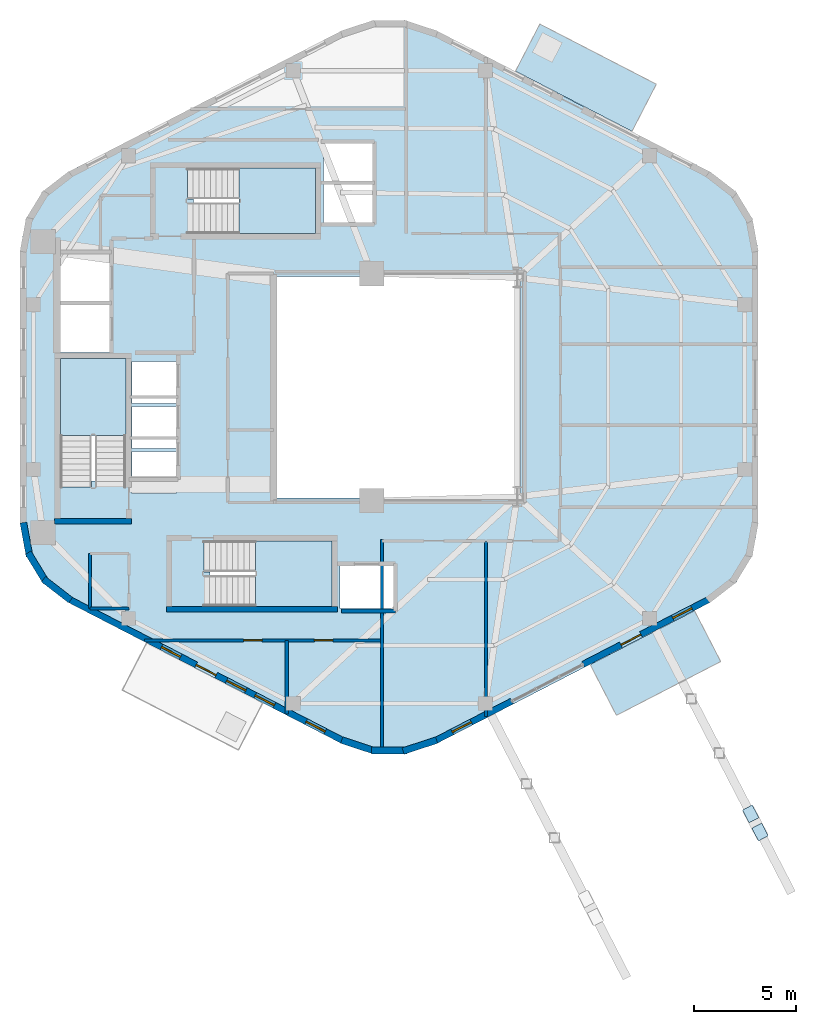
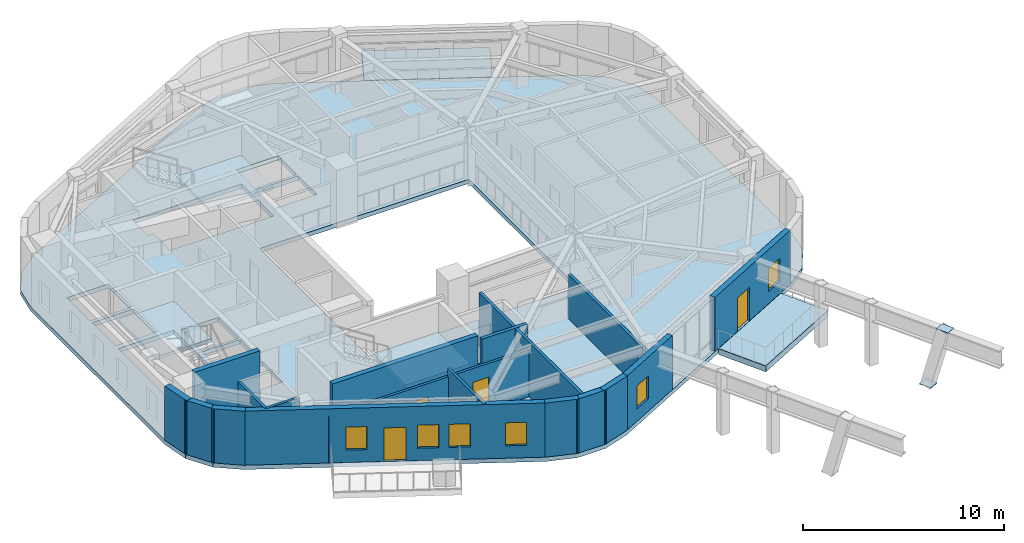
# One storey, part 5 of 10: 18 walls, 6 slabs, 6 windows, 4 doors, 2 plates, 10 openings, 3 elements without a shape of their own.
"""IFC4 building model written with IfcOpenShell, lengths in metres."""

from ifc_helpers import new_model, si_unit, direction, frame, frame_2d, origin, origin_2d, place, context, subcontext, project, spatial, polyline, rectangle, outline, extrude, material, layer, layer_set, type_object, element, fill, aggregate, save


model = new_model("IFC4")

# Units and contexts
model_context = context("Model", 3, precision=1e-05, world=origin(), true_north=direction((0.0, 1.0)))
body_context = subcontext(model_context, "Body", "Model", "MODEL_VIEW")
ifc_project = project(units=[si_unit("LENGTHUNIT", "METRE"), si_unit("AREAUNIT", "SQUARE_METRE"), si_unit("VOLUMEUNIT", "CUBIC_METRE"), si_unit("PLANEANGLEUNIT", "RADIAN"), si_unit("MASSUNIT", "GRAM", prefix="KILO"), si_unit("THERMODYNAMICTEMPERATUREUNIT", "KELVIN"), si_unit("POWERUNIT", "WATT")], contexts=[model_context])

# Site, building, storey
site_placement = place(None, origin())
site = spatial("IfcSite", under=ifc_project, at=site_placement, CompositionType="ELEMENT")
building_placement = place(site_placement, origin())
building = spatial("IfcBuilding", under=site, at=building_placement, Name="Skarre Station Tower", CompositionType="ELEMENT")
storey_placement = place(building_placement, frame((0.0, 0.0, 227.699951171875)))
storey = spatial("IfcBuildingStorey", under=building, at=storey_placement, Name="L62", CompositionType="ELEMENT", Elevation=227.699951171875)

# Plates
ifc_material_1 = material(Name="Steel ASTM A572 Grade 50", Category="steel")
ifc_layer_1 = layer(ifc_material_1, 0.031982421875, Name="Steel ASTM A572 Grade 50")
ifc_layer_set_1 = layer_set([ifc_layer_1], Name="Steel ASTM A572 Grade 50")
plate_type = type_object("IfcPlateType", Name="Exoskeleton Strut Cap Plate 700x540x32", PredefinedType="USERDEFINED", material=ifc_layer_set_1)
for number, where, z_axis, x_axis, name in (
    (1, (50.84912109375, 3.16796875, -0.44580078125), (0.0, 0.0, 1.0), (0.458711590553, -0.88858521071, 0.0), "L62 SB-5 Exoskeleton Tier-3 Base Gusset S2"),
    (2, (51.30810546875, 2.279052734375, 3.26416015625), (0.0, 0.0, 1.0), (0.458711590553, -0.88858521071, 0.0), "L62 SB-5 Exoskeleton Tier-3 Head Gusset S2"),
):
    element("IfcPlate", number, at=place(storey_placement, frame(where, z_axis=z_axis, x_axis=x_axis)), inside=storey, type_object=plate_type, Name=name, ObjectType="STIFFENER_PLATE", PredefinedType="USERDEFINED", context=body_context, shape_type="SweptSolid", body=[
        extrude(rectangle(XDim=0.699951171875, YDim=0.5400390625, at=origin_2d()), origin(), (0.0, 0.0, 1.0), 0.031982421875),
    ])

# Slab
ifc_material_2 = material(Name="Precast concrete C50/60", Category="concrete")
ifc_layer_2 = layer(ifc_material_2, 0.340087890625, Name="Precast concrete C50/60")
ifc_layer_set_2 = layer_set([ifc_layer_2], Name="Precast concrete C50/60")
slab_type_1 = type_object("IfcSlabType", Name="Planted Tree-Balcony Cantilever Slab 340", PredefinedType="FLOOR", material=ifc_layer_set_2)
slab_1_placement = place(storey_placement, frame((0.0, 0.0, -0.33984375)))
element("IfcSlab", 3, at=slab_1_placement, inside=storey, type_object=slab_type_1, Name="L62 Planted Tree-Balcony Deck TB-L62-F0", PredefinedType="FLOOR", context=body_context, shape_type="SweptSolid", body=[
    extrude(outline(polyline([(45.054931640625, 36.490966796875), (39.367919921875, 39.427001953125), (40.555908203125, 41.72802734375), (46.242919921875, 38.7919921875), (45.054931640625, 36.490966796875)])), origin(), (0.0, 0.0, 1.0), 0.33984375),
])

# Stair, slab
ifc_material_3 = material(Name="Concrete C40/50", Category="concrete")
stair_type_1 = type_object("IfcStairType", Name="Reinforced Concrete Exit Stair ST-1", PredefinedType="HALF_TURN_STAIR", material=ifc_material_3)
stair_1_placement = place(storey_placement, origin())
stair_1 = element("IfcStair", 4, at=stair_1_placement, inside=storey, type_object=stair_type_1, Name="L62 Core Exit Stair ST-1", PredefinedType="HALF_TURN_STAIR")
ifc_layer_3 = layer(ifc_material_3, 0.219970703125, Name="Concrete C40/50")
ifc_layer_set_3 = layer_set([ifc_layer_3], Name="Concrete C40/50")
slab_type_2 = type_object("IfcSlabType", Name="Reinforced Concrete Stair & Ramp Landing 220", PredefinedType="LANDING", material=ifc_layer_set_3)
slab_2_placement = place(storey_placement, frame((0.0, 0.0, 1.574951171875)))
slab_2 = element("IfcSlab", 5, at=slab_2_placement, type_object=slab_type_2, Name="ST-1 landing 1", PredefinedType="LANDING", context=body_context, shape_type="SweptSolid", body=[
    extrude(outline(polyline([(20.35009765625, 21.639892578125), (20.35009765625, 25.39990234375), (17.14990234375, 25.39990234375), (17.14990234375, 21.639892578125), (20.35009765625, 21.639892578125)])), origin(), (0.0, 0.0, 1.0), 0.2001953125),
])
aggregate(stair_1, [slab_2])

stair_type_2 = type_object("IfcStairType", Name="Reinforced Concrete Exit Stair ST-2", PredefinedType="HALF_TURN_STAIR", material=ifc_material_3)
stair_2_placement = place(storey_placement, origin())
stair_2 = element("IfcStair", 6, at=stair_2_placement, inside=storey, type_object=stair_type_2, Name="L62 Core Exit Stair ST-2", PredefinedType="HALF_TURN_STAIR")
slab_3_placement = place(storey_placement, frame((0.0, 0.0, 1.574951171875)))
slab_3 = element("IfcSlab", 7, at=slab_3_placement, type_object=slab_type_2, Name="ST-2 landing 1", PredefinedType="LANDING", context=body_context, shape_type="SweptSolid", body=[
    extrude(outline(polyline([(26.669921875, 13.300048828125), (30.39990234375, 13.300048828125), (30.39990234375, 16.5), (26.669921875, 16.5), (26.669921875, 13.300048828125)])), origin(), (0.0, 0.0, 1.0), 0.2001953125),
])
aggregate(stair_2, [slab_3])

stair_type_3 = type_object("IfcStairType", Name="Reinforced Concrete Exit Stair ST-3", PredefinedType="HALF_TURN_STAIR", material=ifc_material_3)
stair_3_placement = place(storey_placement, origin())
stair_3 = element("IfcStair", 8, at=stair_3_placement, inside=storey, type_object=stair_type_3, Name="L62 Core Exit Stair ST-3", PredefinedType="HALF_TURN_STAIR")
slab_4_placement = place(storey_placement, frame((0.0, 0.0, 1.574951171875)))
slab_4 = element("IfcSlab", 9, at=slab_4_placement, type_object=slab_type_2, Name="ST-3 landing 1", PredefinedType="LANDING", context=body_context, shape_type="SweptSolid", body=[
    extrude(outline(polyline([(25.8701171875, 31.5), (29.60009765625, 31.5), (29.60009765625, 34.699951171875), (25.8701171875, 34.699951171875), (25.8701171875, 31.5)])), origin(), (0.0, 0.0, 1.0), 0.2001953125),
])
aggregate(stair_3, [slab_4])

# Slabs
ifc_material_4 = material(Name="Concrete C50/60", Category="concrete")
ifc_layer_4 = layer(ifc_material_4, 0.419921875, Name="Concrete C50/60")
ifc_layer_set_4 = layer_set([ifc_layer_4], Name="Concrete C50/60")
slab_type_3 = type_object("IfcSlabType", Name="Sky-Garden & Lookout Terrace Slab 360", PredefinedType="FLOOR", material=ifc_layer_set_4)
slab_5_placement = place(storey_placement, frame((0.0, 0.0, -0.35986328125)))
element("IfcSlab", 10, at=slab_5_placement, inside=storey, type_object=slab_type_3, Name="L62 SG-3 Planted Sky-Garden Terrace Slab", PredefinedType="FLOOR", context=body_context, shape_type="SweptSolid", body=[
    extrude(outline(polyline([(48.10595703125, 13.083984375), (43.014892578125, 10.4560546875), (44.294921875, 7.97705078125), (49.385986328125, 10.60498046875), (48.10595703125, 13.083984375)])), origin(), (0.0, 0.0, 1.0), 0.35986328125),
])
ifc_layer_5 = layer(ifc_material_4, 0.260009765625, Name="Concrete C50/60")
ifc_layer_set_5 = layer_set([ifc_layer_5], Name="Concrete C50/60")
slab_type_4 = type_object("IfcSlabType", Name="Tower Typical Composite Floor Slab 260", PredefinedType="FLOOR", material=ifc_layer_set_5)
slab_6_placement = place(storey_placement, frame((0.0, 0.0, -0.260009765625)))
element("IfcSlab", 11, at=slab_6_placement, inside=storey, type_object=slab_type_4, Name="L62 Zone 4 Structural Floor Slab", PredefinedType="FLOOR", context=body_context, shape_type="SweptSolid", body=[
    extrude(outline(polyline([(51.212890625, 30.701904296875), (50.93310546875, 32.222900390625), (50.1279296875, 33.544921875), (48.905029296875, 34.491943359375), (35.508056640625, 41.407958984375), (33.99609375, 41.906005859375), (32.404052734375, 41.906005859375), (30.89208984375, 41.407958984375), (17.4951171875, 34.491943359375), (16.27197265625, 33.544921875), (15.467041015625, 32.222900390625), (15.18701171875, 30.701904296875), (15.18701171875, 17.298095703125), (15.467041015625, 15.777099609375), (16.27197265625, 14.455078125), (17.4951171875, 13.508056640625), (30.89208984375, 6.592041015625), (32.404052734375, 6.093994140625), (33.99609375, 6.093994140625), (35.508056640625, 6.592041015625), (48.905029296875, 13.508056640625), (50.1279296875, 14.455078125), (50.93310546875, 15.777099609375), (51.212890625, 17.298095703125), (51.212890625, 30.701904296875)]), holes=[polyline([(18.669921875, 19.419921875), (18.669921875, 19.123046875), (17.14990234375, 19.123046875), (17.14990234375, 25.39990234375), (20.35009765625, 25.39990234375), (20.35009765625, 19.419921875), (18.669921875, 19.419921875)]), polyline([(24.449951171875, 14.97998046875), (24.153076171875, 14.97998046875), (24.153076171875, 16.5), (30.39990234375, 16.5), (30.39990234375, 13.300048828125), (24.449951171875, 13.300048828125), (24.449951171875, 14.97998046875)]), polyline([(23.64990234375, 33.179931640625), (23.35302734375, 33.179931640625), (23.35302734375, 34.699951171875), (29.60009765625, 34.699951171875), (29.60009765625, 31.5), (23.64990234375, 31.5), (23.64990234375, 33.179931640625)]), polyline([(17.14990234375, 28.0), (19.550048828125, 28.0), (19.550048828125, 25.699951171875), (17.14990234375, 25.699951171875), (17.14990234375, 28.0)]), polyline([(17.14990234375, 30.5), (19.550048828125, 30.5), (19.550048828125, 28.199951171875), (17.14990234375, 28.199951171875), (17.14990234375, 30.5)]), polyline([(30.800048828125, 15.300048828125), (33.39990234375, 15.300048828125), (33.39990234375, 13.199951171875), (30.800048828125, 13.199951171875), (30.800048828125, 15.300048828125)]), polyline([(20.64990234375, 20.85009765625), (22.800048828125, 20.85009765625), (22.800048828125, 18.800048828125), (20.64990234375, 18.800048828125), (20.64990234375, 20.85009765625)]), polyline([(20.64990234375, 23.050048828125), (22.800048828125, 23.050048828125), (22.800048828125, 21.0), (20.64990234375, 21.0), (20.64990234375, 23.050048828125)]), polyline([(20.64990234375, 25.25), (22.800048828125, 25.25), (22.800048828125, 23.199951171875), (20.64990234375, 23.199951171875), (20.64990234375, 25.25)]), polyline([(30.0, 33.89990234375), (32.39990234375, 33.89990234375), (32.39990234375, 32.050048828125), (30.0, 32.050048828125), (30.0, 33.89990234375)]), polyline([(30.0, 35.89990234375), (32.39990234375, 35.89990234375), (32.39990234375, 34.050048828125), (30.0, 34.050048828125), (30.0, 35.89990234375)]), polyline([(27.60009765625, 29.39990234375), (39.60009765625, 29.39990234375), (39.60009765625, 18.60009765625), (27.60009765625, 18.60009765625), (27.60009765625, 29.39990234375)])]), origin(), (0.0, 0.0, 1.0), 0.260009765625),
])

# Walls
ifc_material_5 = material(Name="Acoustic Steel-Stud Gypsum Partition", Category="steel")
ifc_layer_6 = layer(ifc_material_5, 0.14990234375, Name="Acoustic Steel-Stud Gypsum Partition")
ifc_layer_set_6 = layer_set([ifc_layer_6], Name="Acoustic Steel-Stud Gypsum Partition")
wall_type_1 = type_object("IfcWallType", Name="Fire-Rated Corridor Acoustic Partition 150", PredefinedType="PARTITIONING", material=ifc_layer_set_6)
wall_1_placement = place(storey_placement, frame((18.60009765625, 15.8798828125, 0.0), z_axis=(0.0, 0.0, 1.0), x_axis=(0.0, -1.0, 0.0)))
element("IfcWall", 12, at=wall_1_placement, inside=storey, type_object=wall_type_1, Name="L62 Interior Partition WL-PT-L62-CSVC-W", PredefinedType="PARTITIONING", context=body_context, shape_type="SweptSolid", body=[
    extrude(rectangle(XDim=2.679931640625, YDim=0.14990234375, at=frame_2d((1.33984375, 0.0))), origin(), (0.0, 0.0, 1.0), 3.2900390625),
])
wall_2_placement = place(storey_placement, frame((18.60009765625, 13.199951171875, 0.0), z_axis=(0.0, 0.0, 1.0), x_axis=(1.0, 0.0, 0.0)))
element("IfcWall", 13, at=wall_2_placement, inside=storey, type_object=wall_type_1, Name="L62 Interior Partition WL-PT-L62-CSVC-S", PredefinedType="PARTITIONING", context=body_context, shape_type="SweptSolid", body=[
    extrude(rectangle(XDim=1.889892578125, YDim=0.14990234375, at=frame_2d((0.94482421875, 0.0))), origin(), (0.0, 0.0, 1.0), 3.2900390625),
])
wall_3_placement = place(storey_placement, frame((28.199951171875, 8.049072265625, 0.0), z_axis=(0.0, 0.0, 1.0), x_axis=(0.0, 1.0, 0.0)))
element("IfcWall", 14, at=wall_3_placement, inside=storey, type_object=wall_type_1, Name="L62 Interior Partition WL-PT-L62-SWP-M", PredefinedType="PARTITIONING", context=body_context, shape_type="SweptSolid", body=[
    extrude(rectangle(XDim=3.5908203125, YDim=0.14990234375, at=frame_2d((1.79541015625, 0.0))), origin(), (0.0, 0.0, 1.0), 3.2900390625),
])

# Wall, openings, doors
wall_4_placement = place(storey_placement, frame((21.243896484375, 11.639892578125, 0.0), z_axis=(0.0, 0.0, 1.0), x_axis=(1.0, 0.0, 0.0)))
wall_4 = element("IfcWall", 15, at=wall_4_placement, inside=storey, type_object=wall_type_1, Name="L62 Interior Partition WL-PT-L62-SWP-N", PredefinedType="PARTITIONING", context=body_context, shape_type="SweptSolid", body=[
    extrude(rectangle(XDim=11.606201171875, YDim=0.14990234375, at=frame_2d((5.80322265625, 0.0))), origin(), (0.0, 0.0, 1.0), 2.8330078125),
])
opening_1_placement = place(wall_4_placement, frame((4.85595703125, 0.0, 0.0)))
opening_1 = element("IfcOpeningElement", 16, at=opening_1_placement, cuts=wall_4, Name="Opening DR-SVC90", PredefinedType="OPENING", context=body_context, shape_type="SweptSolid", body=[
    extrude(rectangle(XDim=0.89990234375, YDim=2.0, at=frame_2d((0.449951171875, 1.0))), frame((0.0, 0.0849609375, 0.0), z_axis=(0.0, -1.0, 0.0), x_axis=(1.0, 0.0, 0.0)), (0.0, 0.0, 1.0), 0.169921875),
])
opening_2_placement = place(wall_4_placement, frame((8.305908203125, 0.0, 0.0)))
opening_2 = element("IfcOpeningElement", 17, at=opening_2_placement, cuts=wall_4, Name="Opening DR-SVC90", PredefinedType="OPENING", context=body_context, shape_type="SweptSolid", body=[
    extrude(rectangle(XDim=0.89990234375, YDim=2.0, at=frame_2d((0.449951171875, 1.0))), frame((0.0, 0.0849609375, 0.0), z_axis=(0.0, -1.0, 0.0), x_axis=(1.0, 0.0, 0.0)), (0.0, 0.0, 1.0), 0.169921875),
])
ifc_material_6 = material(Name="Powder-Coated Hollow-Metal Acoustic Fire Leaf", Category="steel")
door_type_1 = type_object("IfcDoorType", Name="Service & Riser Fire Door FD60 900x2100", OperationType="SINGLE_SWING_LEFT", PredefinedType="DOOR", material=ifc_material_6)
door_1_placement = place(opening_1_placement, origin())
door_1 = element("IfcDoor", 18, at=door_1_placement, inside=storey, type_object=door_type_1, Name="L62 Floor Public Toilets Door", OperationType="SINGLE_SWING_LEFT", OverallHeight=2.0, OverallWidth=0.89990234375, PredefinedType="DOOR", context=body_context, shape_type="SweptSolid", body=[
    extrude(rectangle(XDim=0.89990234375, YDim=2.0, at=frame_2d((0.449951171875, 1.0))), frame((0.0, 0.02490234375, 0.0), z_axis=(0.0, -1.0, 0.0), x_axis=(1.0, 0.0, 0.0)), (0.0, 0.0, 1.0), 0.050048828125),
])
fill(opening_1, door_1)
door_2_placement = place(opening_2_placement, origin())
door_2 = element("IfcDoor", 19, at=door_2_placement, inside=storey, type_object=door_type_1, Name="L62 South-West Study Door", OperationType="SINGLE_SWING_LEFT", OverallHeight=2.0, OverallWidth=0.89990234375, PredefinedType="DOOR", context=body_context, shape_type="SweptSolid", body=[
    extrude(rectangle(XDim=0.89990234375, YDim=2.0, at=frame_2d((0.449951171875, 1.0))), frame((0.0, 0.02490234375, 0.0), z_axis=(0.0, -1.0, 0.0), x_axis=(1.0, 0.0, 0.0)), (0.0, 0.0, 1.0), 0.050048828125),
])
fill(opening_2, door_2)

# Walls
ifc_material_7 = material(Name="Precast concrete C45/55", Category="concrete")
ifc_layer_7 = layer(ifc_material_7, 0.330078125, Name="Precast concrete C45/55")
ifc_layer_set_7 = layer_set([ifc_layer_7], Name="Precast concrete C45/55")
wall_type_2 = type_object("IfcWallType", Name="Nordic Rounded Corner Precast Wall 330", PredefinedType="STANDARD", material=ifc_layer_set_7)
wall_5_placement = place(storey_placement, frame((17.64697265625, 13.59912109375, 0.0), z_axis=(0.0, 0.0, 1.0), x_axis=(-0.790691856293, 0.61221433207, 0.0)))
element("IfcWall", 20, at=wall_5_placement, inside=storey, type_object=wall_type_2, Name="L62 Rounded Corner Precast Wall F3-1", PredefinedType="STANDARD", context=body_context, shape_type="SweptSolid", body=[
    extrude(rectangle(XDim=1.67578125, YDim=0.330078125, at=frame_2d((0.837890625, 0.0))), origin(), (0.0, 0.0, 1.0), 3.2900390625),
])
wall_6_placement = place(storey_placement, frame((16.447021484375, 14.485107421875, 0.0), z_axis=(0.0, 0.0, 1.0), x_axis=(-0.520325409202, 0.853968072318, 0.0)))
element("IfcWall", 21, at=wall_6_placement, inside=storey, type_object=wall_type_2, Name="L62 Rounded Corner Precast Wall F3-2", PredefinedType="STANDARD", context=body_context, shape_type="SweptSolid", body=[
    extrude(rectangle(XDim=1.677978515625, YDim=0.330078125, at=frame_2d((0.8388671875, 0.0))), origin(), (0.0, 0.0, 1.0), 3.2900390625),
])
wall_7_placement = place(storey_placement, frame((15.64111328125, 15.742919921875, 0.0), z_axis=(0.0, 0.0, 1.0), x_axis=(-0.180832605401, 0.983513888475, 0.0)))
element("IfcWall", 22, at=wall_7_placement, inside=storey, type_object=wall_type_2, Name="L62 Rounded Corner Precast Wall F3-3", PredefinedType="STANDARD", context=body_context, shape_type="SweptSolid", body=[
    extrude(rectangle(XDim=1.6767578125, YDim=0.330078125, at=frame_2d((0.83837890625, 0.0))), origin(), (0.0, 0.0, 1.0), 3.2900390625),
])
wall_8_placement = place(storey_placement, frame((35.51806640625, 6.76904296875, 0.0), z_axis=(0.0, 0.0, 1.0), x_axis=(-0.949713440491, -0.313120393699, 0.0)))
element("IfcWall", 23, at=wall_8_placement, inside=storey, type_object=wall_type_2, Name="L62 Rounded Corner Precast Wall F4-1", PredefinedType="STANDARD", context=body_context, shape_type="SweptSolid", body=[
    extrude(rectangle(XDim=1.7216796875, YDim=0.330078125, at=frame_2d((0.86083984375, 0.0))), origin(), (0.0, 0.0, 1.0), 3.2900390625),
])
wall_9_placement = place(storey_placement, frame((34.06103515625, 6.259033203125, 0.0), z_axis=(0.0, 0.0, 1.0), x_axis=(-1.0, 0.0, 0.0)))
element("IfcWall", 24, at=wall_9_placement, inside=storey, type_object=wall_type_2, Name="L62 Rounded Corner Precast Wall F4-2", PredefinedType="STANDARD", context=body_context, shape_type="SweptSolid", body=[
    extrude(rectangle(XDim=1.721923828125, YDim=0.330078125, at=frame_2d((0.86083984375, 0.0))), origin(), (0.0, 0.0, 1.0), 3.2900390625),
])
wall_10_placement = place(storey_placement, frame((32.51708984375, 6.22998046875, 0.0), z_axis=(0.0, 0.0, 1.0), x_axis=(-0.949713440491, 0.313120393699, 0.0)))
element("IfcWall", 25, at=wall_10_placement, inside=storey, type_object=wall_type_2, Name="L62 Rounded Corner Precast Wall F4-3", PredefinedType="STANDARD", context=body_context, shape_type="SweptSolid", body=[
    extrude(rectangle(XDim=1.7216796875, YDim=0.330078125, at=frame_2d((0.86083984375, 0.0))), origin(), (0.0, 0.0, 1.0), 3.2900390625),
])

# Wall, openings, windows, door
ifc_layer_8 = layer(ifc_material_7, 0.31005859375, Name="Precast concrete C45/55")
ifc_layer_set_8 = layer_set([ifc_layer_8], Name="Precast concrete C45/55")
wall_type_3 = type_object("IfcWallType", Name="Nordic Upper-Zone Precast Facet Wall 310", PredefinedType="STANDARD", material=ifc_layer_set_8)
wall_11_placement = place(storey_placement, frame((30.962890625, 6.72998046875, 0.0), z_axis=(0.0, 0.0, 1.0), x_axis=(-0.888581481622, 0.458718814218, 0.0)))
wall_11 = element("IfcWall", 26, at=wall_11_placement, inside=storey, type_object=wall_type_3, Name="L62 Facet 3 Nordic Precast Masonry Wall", PredefinedType="STANDARD", context=body_context, shape_type="SweptSolid", body=[
    extrude(rectangle(XDim=15.076904296875, YDim=0.31005859375, at=frame_2d((7.53857421875, 0.0))), origin(), (0.0, 0.0, 1.0), 3.2900390625),
])
opening_3_placement = place(wall_11_placement, frame((6.988037109375, 0.0, 0.0)))
opening_3 = element("IfcOpeningElement", 27, at=opening_3_placement, cuts=wall_11, Name="Opening DR-BAL110", PredefinedType="OPENING", context=body_context, shape_type="SweptSolid", body=[
    extrude(rectangle(XDim=1.10009765625, YDim=2.0400390625, at=frame_2d((0.550048828125, 1.02001953125))), frame((0.0, 0.1650390625, 0.0), z_axis=(0.0, -1.0, 0.0), x_axis=(1.0, 0.0, 0.0)), (0.0, 0.0, 1.0), 0.330078125),
])
opening_4_placement = place(wall_11_placement, frame((0.998046875, 0.0, 0.75)))
opening_4 = element("IfcOpeningElement", 28, at=opening_4_placement, cuts=wall_11, Name="Opening WN-SLT", PredefinedType="OPENING", context=body_context, shape_type="SweptSolid", body=[
    extrude(rectangle(XDim=1.050048828125, YDim=1.39990234375, at=frame_2d((0.52490234375, 0.699951171875))), frame((0.0, 0.1650390625, 0.0), z_axis=(0.0, -1.0, 0.0), x_axis=(1.0, 0.0, 0.0)), (0.0, 0.0, 1.0), 0.330078125),
])
opening_5_placement = place(wall_11_placement, frame((3.79296875, 0.0, 0.75)))
opening_5 = element("IfcOpeningElement", 29, at=opening_5_placement, cuts=wall_11, Name="Opening WN-SLT", PredefinedType="OPENING", context=body_context, shape_type="SweptSolid", body=[
    extrude(rectangle(XDim=1.050048828125, YDim=1.39990234375, at=frame_2d((0.52490234375, 0.699951171875))), frame((0.0, 0.1650390625, 0.0), z_axis=(0.0, -1.0, 0.0), x_axis=(1.0, 0.0, 0.0)), (0.0, 0.0, 1.0), 0.330078125),
])
opening_6_placement = place(wall_11_placement, frame((5.360107421875, 0.0, 0.75)))
opening_6 = element("IfcOpeningElement", 30, at=opening_6_placement, cuts=wall_11, Name="Opening WN-SLT", PredefinedType="OPENING", context=body_context, shape_type="SweptSolid", body=[
    extrude(rectangle(XDim=1.050048828125, YDim=1.39990234375, at=frame_2d((0.52490234375, 0.699951171875))), frame((0.0, 0.1650390625, 0.0), z_axis=(0.0, -1.0, 0.0), x_axis=(1.0, 0.0, 0.0)), (0.0, 0.0, 1.0), 0.330078125),
])
opening_7_placement = place(wall_11_placement, frame((8.946044921875, 0.0, 0.75)))
opening_7 = element("IfcOpeningElement", 31, at=opening_7_placement, cuts=wall_11, Name="Opening WN-SLT", PredefinedType="OPENING", context=body_context, shape_type="SweptSolid", body=[
    extrude(rectangle(XDim=1.050048828125, YDim=1.39990234375, at=frame_2d((0.52490234375, 0.699951171875))), frame((0.0, 0.1650390625, 0.0), z_axis=(0.0, -1.0, 0.0), x_axis=(1.0, 0.0, 0.0)), (0.0, 0.0, 1.0), 0.330078125),
])
ifc_material_8 = material(Name="Low-Iron Triple Glazing with Bronze Anodized Frame", Category="glass")
window_type = type_object("IfcWindowType", Name="Nordic Corner Slot Window 1050x1400", PartitioningType="SINGLE_PANEL", PredefinedType="WINDOW", material=ifc_material_8)
window_1_placement = place(opening_4_placement, origin())
window_1 = element("IfcWindow", 32, at=window_1_placement, inside=storey, type_object=window_type, Name="L62 Facade Window WL-FAC-L62-F3-1", OverallHeight=1.39990234375, OverallWidth=1.050048828125, PartitioningType="SINGLE_PANEL", PredefinedType="WINDOW", context=body_context, shape_type="SweptSolid", body=[
    extrude(rectangle(XDim=1.050048828125, YDim=1.39990234375, at=frame_2d((0.52490234375, 0.699951171875))), frame((0.0, 0.030029296875, 0.0), z_axis=(0.0, -1.0, 0.0), x_axis=(1.0, 0.0, 0.0)), (0.0, 0.0, 1.0), 0.06005859375),
])
fill(opening_4, window_1)
window_2_placement = place(opening_5_placement, origin())
window_2 = element("IfcWindow", 33, at=window_2_placement, inside=storey, type_object=window_type, Name="L62 Facade Window WL-FAC-L62-F3-2", OverallHeight=1.39990234375, OverallWidth=1.050048828125, PartitioningType="SINGLE_PANEL", PredefinedType="WINDOW", context=body_context, shape_type="SweptSolid", body=[
    extrude(rectangle(XDim=1.050048828125, YDim=1.39990234375, at=frame_2d((0.52490234375, 0.699951171875))), frame((0.0, 0.030029296875, 0.0), z_axis=(0.0, -1.0, 0.0), x_axis=(1.0, 0.0, 0.0)), (0.0, 0.0, 1.0), 0.06005859375),
])
fill(opening_5, window_2)
window_3_placement = place(opening_6_placement, origin())
window_3 = element("IfcWindow", 34, at=window_3_placement, inside=storey, type_object=window_type, Name="L62 Facade Window WL-FAC-L62-F3-3", OverallHeight=1.39990234375, OverallWidth=1.050048828125, PartitioningType="SINGLE_PANEL", PredefinedType="WINDOW", context=body_context, shape_type="SweptSolid", body=[
    extrude(rectangle(XDim=1.050048828125, YDim=1.39990234375, at=frame_2d((0.52490234375, 0.699951171875))), frame((0.0, 0.030029296875, 0.0), z_axis=(0.0, -1.0, 0.0), x_axis=(1.0, 0.0, 0.0)), (0.0, 0.0, 1.0), 0.06005859375),
])
fill(opening_6, window_3)
window_4_placement = place(opening_7_placement, origin())
window_4 = element("IfcWindow", 35, at=window_4_placement, inside=storey, type_object=window_type, Name="L62 Facade Window WL-FAC-L62-F3-4", OverallHeight=1.39990234375, OverallWidth=1.050048828125, PartitioningType="SINGLE_PANEL", PredefinedType="WINDOW", context=body_context, shape_type="SweptSolid", body=[
    extrude(rectangle(XDim=1.050048828125, YDim=1.39990234375, at=frame_2d((0.52490234375, 0.699951171875))), frame((0.0, 0.030029296875, 0.0), z_axis=(0.0, -1.0, 0.0), x_axis=(1.0, 0.0, 0.0)), (0.0, 0.0, 1.0), 0.06005859375),
])
fill(opening_7, window_4)
ifc_material_9 = material(Name="Thermally Broken Aluminium & Triple Glazing", Category="aluminium")
door_type_2 = type_object("IfcDoorType", Name="Terrace & Tree-Balcony Glazed Door 1100x2200", OperationType="SINGLE_SWING_LEFT", PredefinedType="DOOR", material=ifc_material_9)
door_3_placement = place(opening_3_placement, origin())
door_3 = element("IfcDoor", 36, at=door_3_placement, inside=storey, type_object=door_type_2, Name="L62 TB-L62-F3 Tree-Balcony Glazed Door", OperationType="SINGLE_SWING_LEFT", OverallHeight=2.0400390625, OverallWidth=1.10009765625, PredefinedType="DOOR", context=body_context, shape_type="SweptSolid", body=[
    extrude(rectangle(XDim=1.10009765625, YDim=2.0400390625, at=frame_2d((0.550048828125, 1.02001953125))), frame((0.0, 0.02490234375, 0.0), z_axis=(0.0, -1.0, 0.0), x_axis=(1.0, 0.0, 0.0)), (0.0, 0.0, 1.0), 0.050048828125),
])
fill(opening_3, door_3)

# Wall, openings, window, door
wall_12_placement = place(storey_placement, frame((48.833984375, 13.64599609375, 0.0), z_axis=(0.0, 0.0, 1.0), x_axis=(-0.888622971019, -0.458638436437, 0.0)))
wall_12 = element("IfcWall", 37, at=wall_12_placement, inside=storey, type_object=wall_type_3, Name="L62 Facet 4 Pier A", PredefinedType="STANDARD", context=body_context, shape_type="SweptSolid", body=[
    extrude(rectangle(XDim=6.935546875, YDim=0.31005859375, at=frame_2d((3.4677734375, 0.0))), origin(), (0.0, 0.0, 1.0), 3.2900390625),
])
opening_8_placement = place(wall_12_placement, frame((3.756103515625, 0.0, 0.0)))
opening_8 = element("IfcOpeningElement", 38, at=opening_8_placement, cuts=wall_12, Name="Opening DR-BAL110", PredefinedType="OPENING", context=body_context, shape_type="SweptSolid", body=[
    extrude(rectangle(XDim=1.10009765625, YDim=2.0400390625, at=frame_2d((0.550048828125, 1.02001953125))), frame((0.0, 0.1650390625, 0.0), z_axis=(0.0, -1.0, 0.0), x_axis=(1.0, 0.0, 0.0)), (0.0, 0.0, 1.0), 0.330078125),
])
opening_9_placement = place(wall_12_placement, frame((0.9619140625, 0.0, 0.75)))
opening_9 = element("IfcOpeningElement", 39, at=opening_9_placement, cuts=wall_12, Name="Opening WN-SLT", PredefinedType="OPENING", context=body_context, shape_type="SweptSolid", body=[
    extrude(rectangle(XDim=1.050048828125, YDim=1.39990234375, at=frame_2d((0.52490234375, 0.699951171875))), frame((0.0, 0.1650390625, 0.0), z_axis=(0.0, -1.0, 0.0), x_axis=(1.0, 0.0, 0.0)), (0.0, 0.0, 1.0), 0.330078125),
])
window_5_placement = place(opening_9_placement, origin())
window_5 = element("IfcWindow", 40, at=window_5_placement, inside=storey, type_object=window_type, Name="L62 Facade Window WL-FAC-L62-F4A-1", OverallHeight=1.39990234375, OverallWidth=1.050048828125, PartitioningType="SINGLE_PANEL", PredefinedType="WINDOW", context=body_context, shape_type="SweptSolid", body=[
    extrude(rectangle(XDim=1.050048828125, YDim=1.39990234375, at=frame_2d((0.52490234375, 0.699951171875))), frame((0.0, 0.030029296875, 0.0), z_axis=(0.0, -1.0, 0.0), x_axis=(1.0, 0.0, 0.0)), (0.0, 0.0, 1.0), 0.06005859375),
])
fill(opening_9, window_5)
door_4_placement = place(opening_8_placement, origin())
door_4 = element("IfcDoor", 41, at=door_4_placement, inside=storey, type_object=door_type_2, Name="L62 SG-3 Conservatory Terrace Door", OperationType="SINGLE_SWING_LEFT", OverallHeight=2.0400390625, OverallWidth=1.10009765625, PredefinedType="DOOR", context=body_context, shape_type="SweptSolid", body=[
    extrude(rectangle(XDim=1.10009765625, YDim=2.0400390625, at=frame_2d((0.550048828125, 1.02001953125))), frame((0.0, 0.02490234375, 0.0), z_axis=(0.0, -1.0, 0.0), x_axis=(1.0, 0.0, 0.0)), (0.0, 0.0, 1.0), 0.050048828125),
])
fill(opening_8, door_4)

# Wall, opening, window
wall_13_placement = place(storey_placement, frame((39.18798828125, 8.666015625, 0.0), z_axis=(0.0, 0.0, 1.0), x_axis=(-0.888616094641, -0.45865175934, 0.0)))
wall_13 = element("IfcWall", 42, at=wall_13_placement, inside=storey, type_object=wall_type_3, Name="L62 Facet 4 Pier B", PredefinedType="STANDARD", context=body_context, shape_type="SweptSolid", body=[
    extrude(rectangle(XDim=4.22119140625, YDim=0.31005859375, at=frame_2d((2.110595703125, 0.0))), origin(), (0.0, 0.0, 1.0), 3.2900390625),
])
opening_10_placement = place(wall_13_placement, frame((2.221923828125, 0.0, 0.75)))
opening_10 = element("IfcOpeningElement", 43, at=opening_10_placement, cuts=wall_13, Name="Opening WN-SLT", PredefinedType="OPENING", context=body_context, shape_type="SweptSolid", body=[
    extrude(rectangle(XDim=1.050048828125, YDim=1.39990234375, at=frame_2d((0.52490234375, 0.699951171875))), frame((0.0, 0.1650390625, 0.0), z_axis=(0.0, -1.0, 0.0), x_axis=(1.0, 0.0, 0.0)), (0.0, 0.0, 1.0), 0.330078125),
])
window_6_placement = place(opening_10_placement, origin())
window_6 = element("IfcWindow", 44, at=window_6_placement, inside=storey, type_object=window_type, Name="L62 Facade Window WL-FAC-L62-F4B-1", OverallHeight=1.39990234375, OverallWidth=1.050048828125, PartitioningType="SINGLE_PANEL", PredefinedType="WINDOW", context=body_context, shape_type="SweptSolid", body=[
    extrude(rectangle(XDim=1.050048828125, YDim=1.39990234375, at=frame_2d((0.52490234375, 0.699951171875))), frame((0.0, 0.030029296875, 0.0), z_axis=(0.0, -1.0, 0.0), x_axis=(1.0, 0.0, 0.0)), (0.0, 0.0, 1.0), 0.06005859375),
])
fill(opening_10, window_6)

# Walls
ifc_layer_9 = layer(ifc_material_4, 0.280029296875, Name="Concrete C50/60")
ifc_layer_set_9 = layer_set([ifc_layer_9], Name="Concrete C50/60")
wall_type_4 = type_object("IfcWallType", Name="RC Core Shear Wall 280", PredefinedType="SHEAR", material=ifc_layer_set_9)
wall_14_placement = place(storey_placement, frame((16.8701171875, 17.4599609375, 0.0), z_axis=(0.0, 0.0, 1.0), x_axis=(1.0, 0.0, 0.0)))
element("IfcWall", 45, at=wall_14_placement, inside=storey, type_object=wall_type_4, Name="L62 Stair ST-1 South Shear Wall", PredefinedType="SHEAR", context=body_context, shape_type="SweptSolid", body=[
    extrude(rectangle(XDim=3.759765625, YDim=0.280029296875, at=frame_2d((1.8798828125, 0.0))), origin(), (0.0, 0.0, 1.0), 3.550048828125),
])
wall_15_placement = place(storey_placement, frame((22.320068359375, 13.159912109375, 0.0), z_axis=(0.0, 0.0, 1.0), x_axis=(1.0, 0.0, 0.0)))
element("IfcWall", 46, at=wall_15_placement, inside=storey, type_object=wall_type_4, Name="L62 Stair ST-2 South Shear Wall", PredefinedType="SHEAR", context=body_context, shape_type="SweptSolid", body=[
    extrude(rectangle(XDim=8.35986328125, YDim=0.280029296875, at=frame_2d((4.179931640625, 0.0))), origin(), (0.0, 0.0, 1.0), 3.550048828125),
])
ifc_material_10 = material(Name="Gypsum Concrete Shaft Assembly C30/37", Category="concrete")
ifc_layer_10 = layer(ifc_material_10, 0.199951171875, Name="Gypsum Concrete Shaft Assembly C30/37")
ifc_layer_set_10 = layer_set([ifc_layer_10], Name="Gypsum Concrete Shaft Assembly C30/37")
wall_type_5 = type_object("IfcWallType", Name="Shaft & Core Fire Partition 200", PredefinedType="PARTITIONING", material=ifc_layer_set_10)
wall_16_placement = place(storey_placement, frame((30.87890625, 13.080078125, 0.0), z_axis=(0.0, 0.0, 1.0), x_axis=(1.0, 0.0, 0.0)))
element("IfcWall", 47, at=wall_16_placement, inside=storey, type_object=wall_type_5, Name="L62 Interior Partition WL-PT-L62-SV1-S", PredefinedType="PARTITIONING", context=body_context, shape_type="SweptSolid", body=[
    extrude(rectangle(XDim=2.62109375, YDim=0.199951171875, at=frame_2d((1.310546875, 0.0))), origin(), (0.0, 0.0, 1.0), 3.2900390625),
])
ifc_layer_11 = layer(ifc_material_5, 0.1650390625, Name="Acoustic Steel-Stud Gypsum Partition")
ifc_layer_set_11 = layer_set([ifc_layer_11], Name="Acoustic Steel-Stud Gypsum Partition")
wall_type_6 = type_object("IfcWallType", Name="Suite Demising Acoustic Partition 165", PredefinedType="PARTITIONING", material=ifc_layer_set_11)
wall_17_placement = place(storey_placement, frame((32.85009765625, 6.154052734375, 0.0), z_axis=(0.0, 0.0, 1.0), x_axis=(0.0, 1.0, 0.0)))
element("IfcWall", 48, at=wall_17_placement, inside=storey, type_object=wall_type_6, Name="L62 Interior Partition WL-PT-L62-SWP-E", PredefinedType="PARTITIONING", context=body_context, shape_type="SweptSolid", body=[
    extrude(rectangle(XDim=10.416015625, YDim=0.1650390625, at=frame_2d((5.2080078125, 0.0))), origin(), (0.0, 0.0, 1.0), 3.2900390625),
])
wall_18_placement = place(storey_placement, frame((37.928955078125, 7.9208984375, 0.0), z_axis=(0.0, 0.0, 1.0), x_axis=(0.0, 1.0, 0.0)))
element("IfcWall", 49, at=wall_18_placement, inside=storey, type_object=wall_type_6, Name="L62 Interior Partition WL-PT-L62-SW-P1", PredefinedType="PARTITIONING", context=body_context, shape_type="SweptSolid", body=[
    extrude(rectangle(XDim=8.549072265625, YDim=0.1650390625, at=frame_2d((4.2744140625, 0.0))), origin(), (0.0, 0.0, 1.0), 2.678955078125),
])

save(model, "model.ifc")
